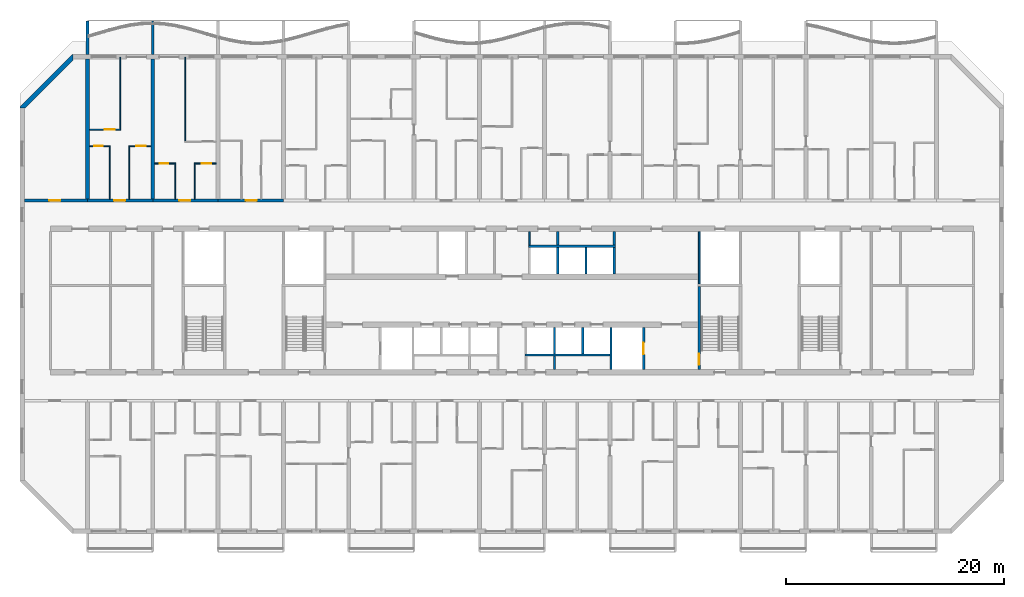
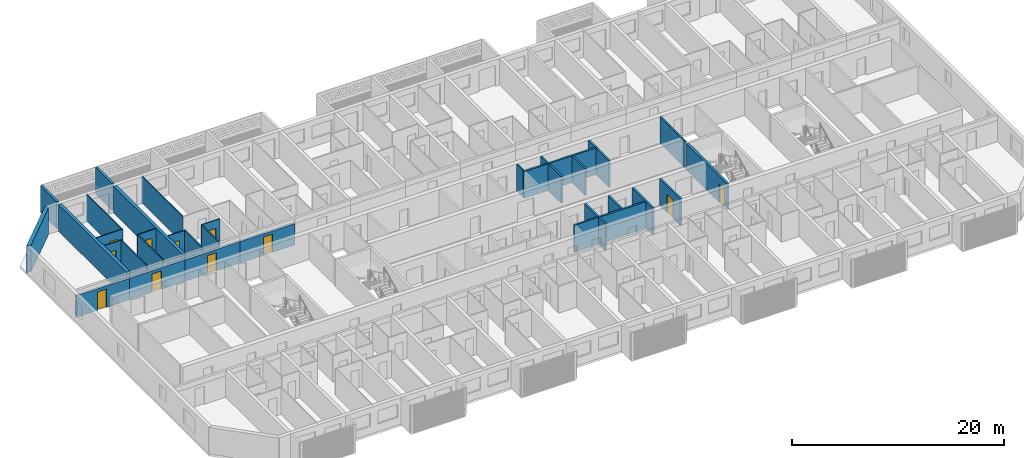
# One storey, part 10 of 28: 35 walls, 11 doors, 11 openings.
"""IFC4 building model written with IfcOpenShell, lengths in metres."""

import ifcopenshell
import ifcopenshell.guid

model = None  # the IFC model being written
_history = None  # IfcOwnerHistory: only IFC2X3 demands one
_inside = {}  # id of a spatial element -> (the spatial element, [elements in it])
_under = {}  # id of a project, library or spatial element -> (it, [spatial elements below it])
_declared = {}  # id of a project -> (the project, [libraries it declares])
_typed = {}  # id of a type object -> (the type object, [elements of that type])
_made_of = {}  # id of a material, layer set ... -> (it, [elements and type objects made of it])


def new_model(schema):
    """Start an empty IFC model of exactly this schema.

    Asked for "IFC4X3", IfcOpenShell would pick the latest addendum, in which some entities
    have other attributes; the version numbers below select the first issue.
    IFC2X3 requires an IfcOwnerHistory on every rooted entity: one is made here for all.
    """
    global model, _history
    if schema == "IFC4X3":
        model = ifcopenshell.file(schema_version=(4, 3, 0, 0))
    else:
        model = ifcopenshell.file(schema=schema)
    _inside.clear()
    _under.clear()
    _declared.clear()
    _typed.clear()
    _made_of.clear()
    _history = None
    if model.schema == "IFC2X3":
        org = make("IfcOrganization", Name="unknown")
        user = make(
            "IfcPersonAndOrganization",
            ThePerson=make("IfcPerson", FamilyName="unknown"),
            TheOrganization=org,
        )
        app = make(
            "IfcApplication",
            ApplicationDeveloper=org,
            Version="unknown",
            ApplicationFullName="unknown",
            ApplicationIdentifier="unknown",
        )
        _history = make(
            "IfcOwnerHistory",
            OwningUser=user,
            OwningApplication=app,
            ChangeAction="ADDED",
            CreationDate=0,
        )
    return model


def make(cls, **values):
    """One entity of the class cls with the attributes given. An attribute that is None is left unset."""
    return model.create_entity(
        cls, **{name: value for name, value in values.items() if value is not None}
    )


def rooted(cls, **values):
    """An entity with a GlobalId (a new one), such as an element, a storey or a relation."""
    return make(cls, GlobalId=ifcopenshell.guid.new(), OwnerHistory=_history, **values)


def si_unit(unit_type, name, prefix=None):
    """IfcSIUnit, for example si_unit("LENGTHUNIT", "METRE", prefix="MILLI")."""
    return make("IfcSIUnit", UnitType=unit_type, Prefix=prefix, Name=name)


def assignment(units):
    """IfcUnitAssignment: the units of a project."""
    return None if units is None else make("IfcUnitAssignment", Units=units)


def point(xyz):
    """IfcCartesianPoint."""
    return None if xyz is None else make("IfcCartesianPoint", Coordinates=xyz)


def direction(xyz):
    """IfcDirection."""
    return None if xyz is None else make("IfcDirection", DirectionRatios=xyz)


def frame(location, z_axis=None, x_axis=None):
    """IfcAxis2Placement3D, a coordinate frame: its origin and axes. An axis left out is left unset."""
    return make(
        "IfcAxis2Placement3D",
        Location=point(location),
        Axis=direction(z_axis),
        RefDirection=direction(x_axis),
    )


def frame_2d(location, x_axis=None):
    """IfcAxis2Placement2D, a coordinate frame in the plane: its origin and x axis."""
    return make(
        "IfcAxis2Placement2D", Location=point(location), RefDirection=direction(x_axis)
    )


def origin():
    """The frame at (0, 0, 0) with its axes left unset."""
    return frame((0.0, 0.0, 0.0))


def place(relative_to, where):
    """IfcLocalPlacement: puts the frame where relative to a parent placement (None: the world)."""
    return make(
        "IfcLocalPlacement", PlacementRelTo=relative_to, RelativePlacement=where
    )


def context(
    kind, dimensions, precision=None, world=None, true_north=None, identifier=None
):
    """IfcGeometricRepresentationContext, for example the 3D "Model" context."""
    return make(
        "IfcGeometricRepresentationContext",
        ContextIdentifier=identifier,
        ContextType=kind,
        CoordinateSpaceDimension=dimensions,
        Precision=precision,
        WorldCoordinateSystem=world,
        TrueNorth=true_north,
    )


def subcontext(parent, identifier, kind, view, scale=None):
    """IfcGeometricRepresentationSubContext, for example "Body" below "Model"."""
    return make(
        "IfcGeometricRepresentationSubContext",
        ContextIdentifier=identifier,
        ContextType=kind,
        ParentContext=parent,
        TargetScale=scale,
        TargetView=view,
    )


def project(units=None, contexts=None):
    """IfcProject with its units and contexts."""
    return rooted(
        "IfcProject",
        Name="project",
        RepresentationContexts=contexts,
        UnitsInContext=assignment(units),
    )


def spatial(cls, under=None, at=None, **own):
    """A site, building, storey or space (cls), placed at a placement, below another one or the project."""
    s = rooted(cls, ObjectPlacement=at, **own)
    if under is not None:
        _under.setdefault(under.id(), (under, []))[1].append(s)
    return s


def polyline(points):
    """IfcPolyline through the points."""
    return make("IfcPolyline", Points=[point(p) for p in points])


def profile(cls, at=None, kind="AREA", **sizes):
    """A parametric profile (cls). Its sizes go by their IFC names, for example OverallWidth=200.0."""
    return make(cls, ProfileType=kind, Position=at, **sizes)


def rectangle(**sizes):
    """IfcRectangleProfileDef."""
    return profile("IfcRectangleProfileDef", **sizes)


def outline(outer, holes=None, kind="AREA"):
    """IfcArbitraryClosedProfileDef: a profile drawn as a closed curve; with holes, ...WithVoids."""
    if holes is None:
        return make("IfcArbitraryClosedProfileDef", ProfileType=kind, OuterCurve=outer)
    return make(
        "IfcArbitraryProfileDefWithVoids",
        ProfileType=kind,
        OuterCurve=outer,
        InnerCurves=holes,
    )


def extrude(swept, where, along, depth):
    """IfcExtrudedAreaSolid: the profile swept, set in the frame where, extruded along a direction by depth."""
    return make(
        "IfcExtrudedAreaSolid",
        SweptArea=swept,
        Position=where,
        ExtrudedDirection=direction(along),
        Depth=depth,
    )


def shape(context_of_items, identifier, shape_type, items):
    """IfcShapeRepresentation: the items that make up one representation, for example the "Body"."""
    return make(
        "IfcShapeRepresentation",
        ContextOfItems=context_of_items,
        RepresentationIdentifier=identifier,
        RepresentationType=shape_type,
        Items=items,
    )


def source(mapping_origin, context_of_items, identifier, shape_type, items):
    """IfcRepresentationMap: a shape defined once, which mapped items show again and again."""
    return make(
        "IfcRepresentationMap",
        MappingOrigin=mapping_origin,
        MappedRepresentation=shape(context_of_items, identifier, shape_type, items),
    )


def transform(
    local_origin,
    x_axis=None,
    y_axis=None,
    z_axis=None,
    scale=None,
    scale2=None,
    scale3=None,
    uniform=True,
):
    """IfcCartesianTransformationOperator3D, or its non-uniform kind. x_axis, y_axis, z_axis: its Axis1, 2, 3."""
    if uniform:
        return make(
            "IfcCartesianTransformationOperator3D",
            Axis1=direction(x_axis),
            Axis2=direction(y_axis),
            LocalOrigin=point(local_origin),
            Scale=scale,
            Axis3=direction(z_axis),
        )
    return make(
        "IfcCartesianTransformationOperator3DnonUniform",
        Axis1=direction(x_axis),
        Axis2=direction(y_axis),
        LocalOrigin=point(local_origin),
        Scale=scale,
        Axis3=direction(z_axis),
        Scale2=scale2,
        Scale3=scale3,
    )


def mapped(mapping_source, mapping_target):
    """IfcMappedItem: shows the shape of a source again, moved by a transform."""
    return make(
        "IfcMappedItem", MappingSource=mapping_source, MappingTarget=mapping_target
    )


def material(Name=None, Category=None):
    """IfcMaterial."""
    return make("IfcMaterial", Name=Name, Category=Category)


def layer(
    of_material, thickness, ventilated=None, Name=None, Category=None, Priority=None
):
    """IfcMaterialLayer: one layer of a wall or slab, of a material (None: an air gap)."""
    return make(
        "IfcMaterialLayer",
        Material=of_material,
        LayerThickness=thickness,
        IsVentilated=ventilated,
        Name=Name,
        Category=Category,
        Priority=Priority,
    )


def layer_set(layers, Name=None):
    """IfcMaterialLayerSet."""
    return make("IfcMaterialLayerSet", MaterialLayers=layers, LayerSetName=Name)


def made_of(thing, what):
    """Note that an element or type object is made of a material, layer set ...; save() writes the relation."""
    if what is not None:
        _made_of.setdefault(what.id(), (what, []))[1].append(thing)
    return thing


def type_object(cls, material=None, **own):
    """A type object (cls), such as IfcWallType, which elements share."""
    return made_of(rooted(cls, **own), material)


def element(
    cls,
    number,
    at=None,
    inside=None,
    cuts=None,
    type_object=None,
    material=None,
    context=None,
    identifier="Body",
    shape_type=None,
    held_by="IfcProductDefinitionShape",
    body=None,
    shapes=None,
    **own,
):
    """One element of the class cls, such as IfcWall. Its Tag is "e" and its number.

    at: its placement. inside: the storey or other place that contains it. cuts: it is an
    opening in that element (IfcRelVoidsElement). A single representation is given by context,
    identifier, shape_type and body (its items); several are given by shapes. held_by: the class
    of the entity that holds the representations. save() writes the other relations.
    """
    e = rooted(cls, Tag="e%d" % number, ObjectPlacement=at, **own)
    if body is not None:
        shapes = [shape(context, identifier, shape_type, body)]
    if shapes is not None:
        e.Representation = make(held_by, Representations=shapes)
    if inside is not None:
        _inside.setdefault(inside.id(), (inside, []))[1].append(e)
    if cuts is not None:
        rooted(
            "IfcRelVoidsElement", RelatingBuildingElement=cuts, RelatedOpeningElement=e
        )
    if type_object is not None:
        _typed.setdefault(type_object.id(), (type_object, []))[1].append(e)
    return made_of(e, material)


def fill(opening, filler):
    """IfcRelFillsElement: the door or window that sits in an opening."""
    return rooted(
        "IfcRelFillsElement",
        RelatingOpeningElement=opening,
        RelatedBuildingElement=filler,
    )


def aggregate(whole, parts):
    """IfcRelAggregates: a whole, such as a stair, and the parts it consists of."""
    return rooted("IfcRelAggregates", RelatingObject=whole, RelatedObjects=parts)


def save(model, path):
    """Write the relations noted so far, then the file.

    IfcRelAggregates (storeys below a building ...), IfcRelContainedInSpatialStructure (elements
    in a storey), IfcRelDefinesByType, IfcRelAssociatesMaterial and IfcRelDeclares: one each for
    every whole, place, type object, material and project.
    """
    for whole, parts in _under.values():
        aggregate(whole, parts)
    for where, things in _inside.values():
        rooted(
            "IfcRelContainedInSpatialStructure",
            RelatedElements=things,
            RelatingStructure=where,
        )
    for kind, things in _typed.values():
        rooted("IfcRelDefinesByType", RelatedObjects=things, RelatingType=kind)
    for what, things in _made_of.values():
        rooted("IfcRelAssociatesMaterial", RelatedObjects=things, RelatingMaterial=what)
    for by, libraries in _declared.values():
        rooted("IfcRelDeclares", RelatingContext=by, RelatedDefinitions=libraries)
    model.write(path)


model = new_model("IFC4")

# Units and contexts
model_context = context("Model", 3, precision=1e-05, world=origin(), true_north=direction((0.0, 1.0)))
body_context = subcontext(model_context, "Body", "Model", "MODEL_VIEW")
ifc_project = project(units=[si_unit("LENGTHUNIT", "METRE"), si_unit("AREAUNIT", "SQUARE_METRE"), si_unit("VOLUMEUNIT", "CUBIC_METRE"), si_unit("PLANEANGLEUNIT", "RADIAN"), si_unit("MASSUNIT", "GRAM", prefix="KILO")], contexts=[model_context])

# Site, building, storey
site_placement = place(None, origin())
site = spatial("IfcSite", under=ifc_project, at=site_placement, CompositionType="ELEMENT")
building_placement = place(site_placement, origin())
building = spatial("IfcBuilding", under=site, at=building_placement, Name="Poui Terraces", CompositionType="ELEMENT")
storey_placement = place(building_placement, frame((0.0, 0.0, 72.89990234375)))
storey = spatial("IfcBuildingStorey", under=building, at=storey_placement, Name="L19", CompositionType="ELEMENT", Elevation=72.89990234375)

# Wall
ifc_material_1 = material(Name="Fire-rated plasterboard wall")
ifc_layer_1 = layer(ifc_material_1, 0.14990234375)
ifc_layer_set_1 = layer_set([ifc_layer_1], Name="Fire-rated plasterboard wall")
wall_type_1 = type_object("IfcWallType", Name="CORRIDOR WALL 150", PredefinedType="PARTITIONING", material=ifc_layer_set_1)
wall_1_placement = place(storey_placement, frame((52.60009765625, 26.300048828125, 0.0), z_axis=(0.0, 0.0, 1.0), x_axis=(0.0, 1.0, 0.0)))
element("IfcWall", 1, at=wall_1_placement, inside=storey, type_object=wall_type_1, Name="CORRIDOR WALL 150", PredefinedType="PARTITIONING", context=body_context, shape_type="SweptSolid", body=[
    extrude(rectangle(XDim=1.239990234375, YDim=0.14990234375, at=frame_2d((0.6201171875, 0.0))), origin(), (0.0, 0.0, 1.0), 3.06005859375),
])

# Wall, opening, door
ifc_material_2 = material(Name="Concrete 65 MPa", Category="concrete")
ifc_layer_2 = layer(ifc_material_2, 0.25)
ifc_layer_set_2 = layer_set([ifc_layer_2], Name="Concrete 65 MPa")
wall_type_2 = type_object("IfcWallType", Name="CORRIDOR WALL 250 65MPa", PredefinedType="SHEAR", material=ifc_layer_set_2)
wall_2_placement = place(storey_placement, frame((6.199951171875, 30.39990234375, 0.0), z_axis=(0.0, 0.0, 1.0), x_axis=(1.0, 0.0, 0.0)))
wall_2 = element("IfcWall", 2, at=wall_2_placement, inside=storey, type_object=wall_type_2, Name="CORRIDOR WALL LINE E BAY 1", PredefinedType="SHEAR", context=body_context, shape_type="SweptSolid", body=[
    extrude(rectangle(XDim=5.800048828125, YDim=0.25, at=frame_2d((2.89990234375, 0.0))), origin(), (0.0, 0.0, 1.0), 2.460205078125),
])
opening_1_placement = place(wall_2_placement, frame((2.300048828125, 0.0, 0.0)))
opening_1 = element("IfcOpeningElement", 3, at=opening_1_placement, cuts=wall_2, Name="Opening D100", PredefinedType="OPENING", context=body_context, shape_type="SweptSolid", body=[
    extrude(rectangle(XDim=1.0, YDim=2.10009765625, at=frame_2d((0.5, 1.050048828125))), frame((0.0, 0.135009765625, 0.0), z_axis=(0.0, -1.0, 0.0), x_axis=(1.0, 0.0, 0.0)), (0.0, 0.0, 1.0), 0.27001953125),
])
ifc_material_3 = material(Name="Solid core timber door", Category="wood")
door_type_1 = type_object("IfcDoorType", Name="ACCESSIBLE INTERNAL DOOR 1000 X 2100", OperationType="NOTDEFINED", PredefinedType="DOOR", material=ifc_material_3)
door_1_placement = place(opening_1_placement, origin())
door_1 = element("IfcDoor", 4, at=door_1_placement, inside=storey, type_object=door_type_1, Name="ACCESSIBLE INTERNAL DOOR 033", OperationType="SINGLE_SWING_LEFT", OverallHeight=2.10009765625, OverallWidth=1.0, PredefinedType="DOOR", context=body_context, shape_type="SweptSolid", body=[
    extrude(rectangle(XDim=1.0, YDim=2.10009765625, at=frame_2d((0.5, 1.050048828125))), frame((0.0, 0.02490234375, 0.0), z_axis=(0.0, -1.0, 0.0), x_axis=(1.0, 0.0, 0.0)), (0.0, 0.0, 1.0), 0.050048828125),
])
fill(opening_1, door_1)

wall_3_placement = place(storey_placement, frame((12.0, 30.39990234375, 0.0), z_axis=(0.0, 0.0, 1.0), x_axis=(1.0, 0.0, 0.0)))
wall_3 = element("IfcWall", 5, at=wall_3_placement, inside=storey, type_object=wall_type_2, Name="CORRIDOR WALL LINE E BAY 2", PredefinedType="SHEAR", context=body_context, shape_type="SweptSolid", body=[
    extrude(rectangle(XDim=6.0, YDim=0.25, at=frame_2d((3.0, 0.0))), origin(), (0.0, 0.0, 1.0), 2.460205078125),
])
opening_2_placement = place(wall_3_placement, frame((2.449951171875, 0.0, 0.0)))
opening_2 = element("IfcOpeningElement", 6, at=opening_2_placement, cuts=wall_3, Name="Opening FD30S", PredefinedType="OPENING", context=body_context, shape_type="SweptSolid", body=[
    extrude(rectangle(XDim=1.0, YDim=2.10009765625, at=frame_2d((0.5, 1.050048828125))), frame((0.0, 0.135009765625, 0.0), z_axis=(0.0, -1.0, 0.0), x_axis=(1.0, 0.0, 0.0)), (0.0, 0.0, 1.0), 0.27001953125),
])
ifc_material_4 = material(Name="Steel fire door", Category="steel")
door_type_2 = type_object("IfcDoorType", Name="FLAT ENTRANCE DOOR 1000 X 2100", OperationType="NOTDEFINED", PredefinedType="DOOR", material=ifc_material_4)
door_2_placement = place(opening_2_placement, origin())
door_2 = element("IfcDoor", 7, at=door_2_placement, inside=storey, type_object=door_type_2, Name="FLAT ENTRANCE DOOR 036", OperationType="SINGLE_SWING_LEFT", OverallHeight=2.10009765625, OverallWidth=1.0, PredefinedType="DOOR", context=body_context, shape_type="SweptSolid", body=[
    extrude(rectangle(XDim=1.0, YDim=2.10009765625, at=frame_2d((0.5, 1.050048828125))), frame((0.0, 0.02490234375, 0.0), z_axis=(0.0, -1.0, 0.0), x_axis=(1.0, 0.0, 0.0)), (0.0, 0.0, 1.0), 0.050048828125),
])
fill(opening_2, door_2)

wall_4_placement = place(storey_placement, frame((18.0, 30.39990234375, 0.0), z_axis=(0.0, 0.0, 1.0), x_axis=(1.0, 0.0, 0.0)))
wall_4 = element("IfcWall", 8, at=wall_4_placement, inside=storey, type_object=wall_type_2, Name="CORRIDOR WALL LINE E BAY 3", PredefinedType="SHEAR", context=body_context, shape_type="SweptSolid", body=[
    extrude(rectangle(XDim=6.0, YDim=0.25, at=frame_2d((3.0, 0.0))), origin(), (0.0, 0.0, 1.0), 2.460205078125),
])
opening_3_placement = place(wall_4_placement, frame((2.449951171875, 0.0, 0.0)))
opening_3 = element("IfcOpeningElement", 9, at=opening_3_placement, cuts=wall_4, Name="Opening FD30S", PredefinedType="OPENING", context=body_context, shape_type="SweptSolid", body=[
    extrude(rectangle(XDim=1.0, YDim=2.10009765625, at=frame_2d((0.5, 1.050048828125))), frame((0.0, 0.135009765625, 0.0), z_axis=(0.0, -1.0, 0.0), x_axis=(1.0, 0.0, 0.0)), (0.0, 0.0, 1.0), 0.27001953125),
])
door_3_placement = place(opening_3_placement, origin())
door_3 = element("IfcDoor", 10, at=door_3_placement, inside=storey, type_object=door_type_2, Name="FLAT ENTRANCE DOOR 039", OperationType="SINGLE_SWING_LEFT", OverallHeight=2.10009765625, OverallWidth=1.0, PredefinedType="DOOR", context=body_context, shape_type="SweptSolid", body=[
    extrude(rectangle(XDim=1.0, YDim=2.10009765625, at=frame_2d((0.5, 1.050048828125))), frame((0.0, 0.02490234375, 0.0), z_axis=(0.0, -1.0, 0.0), x_axis=(1.0, 0.0, 0.0)), (0.0, 0.0, 1.0), 0.050048828125),
])
fill(opening_3, door_3)

wall_5_placement = place(storey_placement, frame((24.0, 30.39990234375, 0.0), z_axis=(0.0, 0.0, 1.0), x_axis=(1.0, 0.0, 0.0)))
wall_5 = element("IfcWall", 11, at=wall_5_placement, inside=storey, type_object=wall_type_2, Name="CORRIDOR WALL LINE E BAY 4", PredefinedType="SHEAR", context=body_context, shape_type="SweptSolid", body=[
    extrude(rectangle(XDim=6.0, YDim=0.25, at=frame_2d((3.0, 0.0))), origin(), (0.0, 0.0, 1.0), 2.460205078125),
])
opening_4_placement = place(wall_5_placement, frame((2.550048828125, 0.0, 0.0)))
opening_4 = element("IfcOpeningElement", 12, at=opening_4_placement, cuts=wall_5, Name="Opening FD30S", PredefinedType="OPENING", context=body_context, shape_type="SweptSolid", body=[
    extrude(rectangle(XDim=1.0, YDim=2.10009765625, at=frame_2d((0.5, 1.050048828125))), frame((0.0, 0.135009765625, 0.0), z_axis=(0.0, -1.0, 0.0), x_axis=(1.0, 0.0, 0.0)), (0.0, 0.0, 1.0), 0.27001953125),
])
door_4_placement = place(opening_4_placement, origin())
door_4 = element("IfcDoor", 13, at=door_4_placement, inside=storey, type_object=door_type_2, Name="FLAT ENTRANCE DOOR 043", OperationType="SINGLE_SWING_RIGHT", OverallHeight=2.10009765625, OverallWidth=1.0, PredefinedType="DOOR", context=body_context, shape_type="SweptSolid", body=[
    extrude(rectangle(XDim=1.0, YDim=2.10009765625, at=frame_2d((0.5, 1.050048828125))), frame((0.0, 0.02490234375, 0.0), z_axis=(0.0, -1.0, 0.0), x_axis=(1.0, 0.0, 0.0)), (0.0, 0.0, 1.0), 0.050048828125),
])
fill(opening_4, door_4)

# Walls
ifc_layer_3 = layer(ifc_material_2, 0.35009765625)
ifc_layer_set_3 = layer_set([ifc_layer_3], Name="Concrete 65 MPa")
wall_type_3 = type_object("IfcWallType", Name="CROSS WALL 350 65MPa", PredefinedType="SHEAR", material=ifc_layer_set_3)
for number, where, z_axis, x_axis, name in (
    (14, (12.0, 30.52490234375, 0.0), (0.0, 0.0, 1.0), (0.0, 1.0, 0.0), "CROSS WALL LINE 3 NORTH"),
    (15, (18.0, 30.52490234375, 0.0), (0.0, 0.0, 1.0), (0.0, 1.0, 0.0), "CROSS WALL LINE 4 NORTH"),
):
    element("IfcWall", number, at=place(storey_placement, frame(where, z_axis=z_axis, x_axis=x_axis)), inside=storey, type_object=wall_type_3, Name=name, PredefinedType="SHEAR", context=body_context, shape_type="SweptSolid", body=[
        extrude(rectangle(XDim=12.875, YDim=0.35009765625, at=frame_2d((6.4375, 0.0))), origin(), (0.0, 0.0, 1.0), 3.06005859375),
    ])

# Wall, opening, door
ifc_material_5 = material(Name="Plasterboard partition")
ifc_layer_4 = layer(ifc_material_5, 0.10009765625)
ifc_layer_set_4 = layer_set([ifc_layer_4], Name="Plasterboard partition")
wall_type_4 = type_object("IfcWallType", Name="FLAT PARTITION 100", PredefinedType="PARTITIONING", material=ifc_layer_set_4)
wall_6_placement = place(storey_placement, frame((18.18505859375, 33.800048828125, 0.0), z_axis=(0.0, 0.0, 1.0), x_axis=(1.0, 0.0, 0.0)))
wall_6 = element("IfcWall", 16, at=wall_6_placement, inside=storey, type_object=wall_type_4, Name="FLAT PARTITION 100", PredefinedType="PARTITIONING", context=body_context, shape_type="SweptSolid", body=[
    extrude(rectangle(XDim=1.9150390625, YDim=0.10009765625, at=frame_2d((0.95751953125, 0.0))), origin(), (0.0, 0.0, 1.0), 3.06005859375),
])
opening_5_placement = place(wall_6_placement, frame((0.43994140625, 0.0, 0.0)))
opening_5 = element("IfcOpeningElement", 17, at=opening_5_placement, cuts=wall_6, Name="Opening D80", PredefinedType="OPENING", context=body_context, shape_type="SweptSolid", body=[
    extrude(rectangle(XDim=0.800048828125, YDim=2.10009765625, at=frame_2d((0.39990234375, 1.050048828125))), frame((0.0, 0.06005859375, 0.0), z_axis=(0.0, -1.0, 0.0), x_axis=(1.0, 0.0, 0.0)), (0.0, 0.0, 1.0), 0.1201171875),
])
door_type_3 = type_object("IfcDoorType", Name="BATHROOM, LAUNDRY AND STORE DOOR 800 X 2100", OperationType="NOTDEFINED", PredefinedType="DOOR", material=ifc_material_3)
door_5_placement = place(opening_5_placement, frame((0.800048828125, 0.0, 0.0), z_axis=(0.0, 0.0, 1.0), x_axis=(-1.0, 0.0, 0.0)))
door_5 = element("IfcDoor", 18, at=door_5_placement, inside=storey, type_object=door_type_3, Name="BATHROOM, LAUNDRY AND STORE DOOR 038", OperationType="SINGLE_SWING_RIGHT", OverallHeight=2.10009765625, OverallWidth=0.800048828125, PredefinedType="DOOR", context=body_context, shape_type="SweptSolid", body=[
    extrude(rectangle(XDim=0.800048828125, YDim=2.10009765625, at=frame_2d((0.39990234375, 1.050048828125))), frame((0.0, 0.02490234375, 0.0), z_axis=(0.0, -1.0, 0.0), x_axis=(1.0, 0.0, 0.0)), (0.0, 0.0, 1.0), 0.050048828125),
])
fill(opening_5, door_5)

wall_7_placement = place(storey_placement, frame((21.800048828125, 33.800048828125, 0.0), z_axis=(0.0, 0.0, 1.0), x_axis=(1.0, 0.0, 0.0)))
wall_7 = element("IfcWall", 19, at=wall_7_placement, inside=storey, type_object=wall_type_4, Name="FLAT PARTITION 100", PredefinedType="PARTITIONING", context=body_context, shape_type="SweptSolid", body=[
    extrude(rectangle(XDim=2.014892578125, YDim=0.10009765625, at=frame_2d((1.00732421875, 0.0))), origin(), (0.0, 0.0, 1.0), 3.06005859375),
])
opening_6_placement = place(wall_7_placement, frame((0.675048828125, 0.0, 0.0)))
opening_6 = element("IfcOpeningElement", 20, at=opening_6_placement, cuts=wall_7, Name="Opening D90", PredefinedType="OPENING", context=body_context, shape_type="SweptSolid", body=[
    extrude(rectangle(XDim=0.89990234375, YDim=2.10009765625, at=frame_2d((0.449951171875, 1.050048828125))), frame((0.0, 0.06005859375, 0.0), z_axis=(0.0, -1.0, 0.0), x_axis=(1.0, 0.0, 0.0)), (0.0, 0.0, 1.0), 0.1201171875),
])
door_type_4 = type_object("IfcDoorType", Name="INTERNAL DOOR 900 X 2100", OperationType="NOTDEFINED", PredefinedType="DOOR", material=ifc_material_3)
door_6_placement = place(opening_6_placement, frame((0.89990234375, 0.0, 0.0), z_axis=(0.0, 0.0, 1.0), x_axis=(-1.0, 0.0, 0.0)))
door_6 = element("IfcDoor", 21, at=door_6_placement, inside=storey, type_object=door_type_4, Name="INTERNAL DOOR 040", OperationType="SINGLE_SWING_LEFT", OverallHeight=2.10009765625, OverallWidth=0.89990234375, PredefinedType="DOOR", context=body_context, shape_type="SweptSolid", body=[
    extrude(rectangle(XDim=0.89990234375, YDim=2.10009765625, at=frame_2d((0.449951171875, 1.050048828125))), frame((0.0, 0.02490234375, 0.0), z_axis=(0.0, -1.0, 0.0), x_axis=(1.0, 0.0, 0.0)), (0.0, 0.0, 1.0), 0.050048828125),
])
fill(opening_6, door_6)

wall_8_placement = place(storey_placement, frame((12.18505859375, 35.39990234375, 0.0), z_axis=(0.0, 0.0, 1.0), x_axis=(1.0, 0.0, 0.0)))
wall_8 = element("IfcWall", 22, at=wall_8_placement, inside=storey, type_object=wall_type_4, Name="FLAT PARTITION 100", PredefinedType="PARTITIONING", context=body_context, shape_type="SweptSolid", body=[
    extrude(rectangle(XDim=1.9150390625, YDim=0.10009765625, at=frame_2d((0.95751953125, 0.0))), origin(), (0.0, 0.0, 1.0), 3.06005859375),
])
opening_7_placement = place(wall_8_placement, frame((0.43994140625, 0.0, 0.0)))
opening_7 = element("IfcOpeningElement", 23, at=opening_7_placement, cuts=wall_8, Name="Opening D80", PredefinedType="OPENING", context=body_context, shape_type="SweptSolid", body=[
    extrude(rectangle(XDim=0.800048828125, YDim=2.10009765625, at=frame_2d((0.39990234375, 1.050048828125))), frame((0.0, 0.06005859375, 0.0), z_axis=(0.0, -1.0, 0.0), x_axis=(1.0, 0.0, 0.0)), (0.0, 0.0, 1.0), 0.1201171875),
])
door_7_placement = place(opening_7_placement, frame((0.800048828125, 0.0, 0.0), z_axis=(0.0, 0.0, 1.0), x_axis=(-1.0, 0.0, 0.0)))
door_7 = element("IfcDoor", 24, at=door_7_placement, inside=storey, type_object=door_type_3, Name="BATHROOM, LAUNDRY AND STORE DOOR 034", OperationType="SINGLE_SWING_LEFT", OverallHeight=2.10009765625, OverallWidth=0.800048828125, PredefinedType="DOOR", context=body_context, shape_type="SweptSolid", body=[
    extrude(rectangle(XDim=0.800048828125, YDim=2.10009765625, at=frame_2d((0.39990234375, 1.050048828125))), frame((0.0, 0.02490234375, 0.0), z_axis=(0.0, -1.0, 0.0), x_axis=(1.0, 0.0, 0.0)), (0.0, 0.0, 1.0), 0.050048828125),
])
fill(opening_7, door_7)

wall_9_placement = place(storey_placement, frame((15.800048828125, 35.39990234375, 0.0), z_axis=(0.0, 0.0, 1.0), x_axis=(1.0, 0.0, 0.0)))
wall_9 = element("IfcWall", 25, at=wall_9_placement, inside=storey, type_object=wall_type_4, Name="FLAT PARTITION 100", PredefinedType="PARTITIONING", context=body_context, shape_type="SweptSolid", body=[
    extrude(rectangle(XDim=2.014892578125, YDim=0.10009765625, at=frame_2d((1.00732421875, 0.0))), origin(), (0.0, 0.0, 1.0), 3.06005859375),
])
opening_8_placement = place(wall_9_placement, frame((0.675048828125, 0.0, 0.0)))
opening_8 = element("IfcOpeningElement", 26, at=opening_8_placement, cuts=wall_9, Name="Opening D90", PredefinedType="OPENING", context=body_context, shape_type="SweptSolid", body=[
    extrude(rectangle(XDim=0.89990234375, YDim=2.10009765625, at=frame_2d((0.449951171875, 1.050048828125))), frame((0.0, 0.06005859375, 0.0), z_axis=(0.0, -1.0, 0.0), x_axis=(1.0, 0.0, 0.0)), (0.0, 0.0, 1.0), 0.1201171875),
])
door_8_placement = place(opening_8_placement, frame((0.89990234375, 0.0, 0.0), z_axis=(0.0, 0.0, 1.0), x_axis=(-1.0, 0.0, 0.0)))
door_8 = element("IfcDoor", 27, at=door_8_placement, inside=storey, type_object=door_type_4, Name="INTERNAL DOOR 037", OperationType="SINGLE_SWING_RIGHT", OverallHeight=2.10009765625, OverallWidth=0.89990234375, PredefinedType="DOOR", context=body_context, shape_type="SweptSolid", body=[
    extrude(rectangle(XDim=0.89990234375, YDim=2.10009765625, at=frame_2d((0.449951171875, 1.050048828125))), frame((0.0, 0.02490234375, 0.0), z_axis=(0.0, -1.0, 0.0), x_axis=(1.0, 0.0, 0.0)), (0.0, 0.0, 1.0), 0.050048828125),
])
fill(opening_8, door_8)

wall_10_placement = place(storey_placement, frame((12.18505859375, 36.89990234375, 0.0), z_axis=(0.0, 0.0, 1.0), x_axis=(1.0, 0.0, 0.0)))
wall_10 = element("IfcWall", 28, at=wall_10_placement, inside=storey, type_object=wall_type_4, Name="FLAT PARTITION 100", PredefinedType="PARTITIONING", context=body_context, shape_type="SweptSolid", body=[
    extrude(rectangle(XDim=2.864990234375, YDim=0.10009765625, at=frame_2d((1.4326171875, 0.0))), origin(), (0.0, 0.0, 1.0), 3.06005859375),
])
opening_9_placement = place(wall_10_placement, frame((1.4150390625, 0.0, 0.0)))
opening_9 = element("IfcOpeningElement", 29, at=opening_9_placement, cuts=wall_10, Name="Opening D90", PredefinedType="OPENING", context=body_context, shape_type="SweptSolid", body=[
    extrude(rectangle(XDim=0.89990234375, YDim=2.10009765625, at=frame_2d((0.449951171875, 1.050048828125))), frame((0.0, 0.06005859375, 0.0), z_axis=(0.0, -1.0, 0.0), x_axis=(1.0, 0.0, 0.0)), (0.0, 0.0, 1.0), 0.1201171875),
])
door_9_placement = place(opening_9_placement, frame((0.89990234375, 0.0, 0.0), z_axis=(0.0, 0.0, 1.0), x_axis=(-1.0, 0.0, 0.0)))
door_9 = element("IfcDoor", 30, at=door_9_placement, inside=storey, type_object=door_type_4, Name="INTERNAL DOOR 035", OperationType="SINGLE_SWING_RIGHT", OverallHeight=2.10009765625, OverallWidth=0.89990234375, PredefinedType="DOOR", context=body_context, shape_type="SweptSolid", body=[
    extrude(rectangle(XDim=0.89990234375, YDim=2.10009765625, at=frame_2d((0.449951171875, 1.050048828125))), frame((0.0, 0.02490234375, 0.0), z_axis=(0.0, -1.0, 0.0), x_axis=(1.0, 0.0, 0.0)), (0.0, 0.0, 1.0), 0.050048828125),
])
fill(opening_9, door_9)

# Walls
wall_11_placement = place(storey_placement, frame((14.050048828125, 30.534912109375, 0.0), z_axis=(0.0, 0.0, 1.0), x_axis=(0.0, 1.0, 0.0)))
element("IfcWall", 31, at=wall_11_placement, inside=storey, type_object=wall_type_4, Name="FLAT PARTITION 100", PredefinedType="PARTITIONING", context=body_context, shape_type="SweptSolid", body=[
    extrude(rectangle(XDim=4.815185546875, YDim=0.10009765625, at=frame_2d((2.40771484375, 0.0))), origin(), (0.0, 0.0, 1.0), 3.06005859375),
])
wall_12_placement = place(storey_placement, frame((15.0, 36.949951171875, 0.0), z_axis=(0.0, 0.0, 1.0), x_axis=(0.0, 1.0, 0.0)))
element("IfcWall", 32, at=wall_12_placement, inside=storey, type_object=wall_type_4, Name="FLAT PARTITION 100", PredefinedType="PARTITIONING", context=body_context, shape_type="SweptSolid", body=[
    extrude(rectangle(XDim=6.590087890625, YDim=0.10009765625, at=frame_2d((3.294921875, 0.0))), origin(), (0.0, 0.0, 1.0), 3.06005859375),
])
wall_13_placement = place(storey_placement, frame((15.85009765625, 30.534912109375, 0.0), z_axis=(0.0, 0.0, 1.0), x_axis=(0.0, 1.0, 0.0)))
element("IfcWall", 33, at=wall_13_placement, inside=storey, type_object=wall_type_4, Name="FLAT PARTITION 100", PredefinedType="PARTITIONING", context=body_context, shape_type="SweptSolid", body=[
    extrude(rectangle(XDim=4.815185546875, YDim=0.10009765625, at=frame_2d((2.40771484375, 0.0))), origin(), (0.0, 0.0, 1.0), 3.06005859375),
])
wall_14_placement = place(storey_placement, frame((20.050048828125, 30.534912109375, 0.0), z_axis=(0.0, 0.0, 1.0), x_axis=(0.0, 1.0, 0.0)))
element("IfcWall", 34, at=wall_14_placement, inside=storey, type_object=wall_type_4, Name="FLAT PARTITION 100", PredefinedType="PARTITIONING", context=body_context, shape_type="SweptSolid", body=[
    extrude(rectangle(XDim=3.215087890625, YDim=0.10009765625, at=frame_2d((1.607421875, 0.0))), origin(), (0.0, 0.0, 1.0), 3.06005859375),
])
wall_15_placement = place(storey_placement, frame((21.0, 35.85009765625, 0.0), z_axis=(0.0, 0.0, 1.0), x_axis=(0.0, 1.0, 0.0)))
element("IfcWall", 35, at=wall_15_placement, inside=storey, type_object=wall_type_4, Name="FLAT PARTITION 100", PredefinedType="PARTITIONING", context=body_context, shape_type="SweptSolid", body=[
    extrude(rectangle(XDim=7.68994140625, YDim=0.10009765625, at=frame_2d((3.844970703125, 0.0))), origin(), (0.0, 0.0, 1.0), 3.06005859375),
])
wall_16_placement = place(storey_placement, frame((21.85009765625, 30.534912109375, 0.0), z_axis=(0.0, 0.0, 1.0), x_axis=(0.0, 1.0, 0.0)))
element("IfcWall", 36, at=wall_16_placement, inside=storey, type_object=wall_type_4, Name="FLAT PARTITION 100", PredefinedType="PARTITIONING", context=body_context, shape_type="SweptSolid", body=[
    extrude(rectangle(XDim=3.215087890625, YDim=0.10009765625, at=frame_2d((1.607421875, 0.0))), origin(), (0.0, 0.0, 1.0), 3.06005859375),
])
ifc_material_6 = material(Name="Fire-rated masonry wall", Category="masonry")
ifc_layer_5 = layer(ifc_material_6, 0.199951171875)
ifc_layer_set_5 = layer_set([ifc_layer_5], Name="Fire-rated masonry wall")
wall_type_5 = type_object("IfcWallType", Name="PLANT ROOM WALL 200", PredefinedType="PARTITIONING", material=ifc_layer_set_5)
for number, where, z_axis, x_axis, name in (
    (37, (54.89990234375, 14.860107421875, 0.0), (0.0, 0.0, 1.0), (0.0, 1.0, 0.0), "PLANT ROOM WALL 200"),
    (38, (55.199951171875, 26.300048828125, 0.0), (0.0, 0.0, 1.0), (0.0, 1.0, 0.0), "PLANT ROOM WALL 200"),
    (39, (60.39990234375, 26.300048828125, 0.0), (0.0, 0.0, 1.0), (0.0, 1.0, 0.0), "PLANT ROOM WALL 200"),
):
    element("IfcWall", number, at=place(storey_placement, frame(where, z_axis=z_axis, x_axis=x_axis)), inside=storey, type_object=wall_type_5, Name=name, PredefinedType="PARTITIONING", context=body_context, shape_type="SweptSolid", body=[
        extrude(rectangle(XDim=1.239990234375, YDim=0.199951171875, at=frame_2d((0.6201171875, 0.0))), origin(), (0.0, 0.0, 1.0), 3.06005859375),
    ])
ifc_material_7 = material(Name="Fire-rated plasterboard riser wall")
ifc_layer_6 = layer(ifc_material_7, 0.14990234375)
ifc_layer_set_6 = layer_set([ifc_layer_6], Name="Fire-rated plasterboard riser wall")
wall_type_6 = type_object("IfcWallType", Name="RISER WALL 150", PredefinedType="PARTITIONING", material=ifc_layer_set_6)
wall_17_placement = place(storey_placement, frame((68.199951171875, 22.735107421875, 0.0), z_axis=(0.0, 0.0, 1.0), x_axis=(0.0, 1.0, 0.0)))
element("IfcWall", 40, at=wall_17_placement, inside=storey, type_object=wall_type_6, Name="RISER WALL 150", PredefinedType="PARTITIONING", context=body_context, shape_type="SweptSolid", body=[
    extrude(rectangle(XDim=4.804931640625, YDim=0.14990234375, at=frame_2d((2.40234375, 0.0))), origin(), (0.0, 0.0, 1.0), 3.06005859375),
])
ifc_material_8 = material(Name="Fire-rated masonry shaft wall", Category="masonry")
ifc_layer_7 = layer(ifc_material_8, 0.199951171875)
ifc_layer_set_7 = layer_set([ifc_layer_7], Name="Fire-rated masonry shaft wall")
wall_type_7 = type_object("IfcWallType", Name="SHAFT WALL 200", PredefinedType="PARTITIONING", material=ifc_layer_set_7)
wall_18_placement = place(storey_placement, frame((52.199951171875, 16.199951171875, 0.0), z_axis=(0.0, 0.0, 1.0), x_axis=(1.0, 0.0, 0.0)))
element("IfcWall", 41, at=wall_18_placement, inside=storey, type_object=wall_type_7, Name="SHAFT WALL 200", PredefinedType="PARTITIONING", context=body_context, shape_type="SweptSolid", body=[
    extrude(rectangle(XDim=7.800048828125, YDim=0.199951171875, at=frame_2d((3.89990234375, 0.0))), origin(), (0.0, 0.0, 1.0), 3.06005859375),
])
wall_19_placement = place(storey_placement, frame((52.5, 26.199951171875, 0.0), z_axis=(0.0, 0.0, 1.0), x_axis=(1.0, 0.0, 0.0)))
element("IfcWall", 42, at=wall_19_placement, inside=storey, type_object=wall_type_7, Name="SHAFT WALL 200", PredefinedType="PARTITIONING", context=body_context, shape_type="SweptSolid", body=[
    extrude(rectangle(XDim=8.0, YDim=0.199951171875, at=frame_2d((4.0, 0.0))), origin(), (0.0, 0.0, 1.0), 3.06005859375),
])
wall_20_placement = place(storey_placement, frame((54.89990234375, 16.300048828125, 0.0), z_axis=(0.0, 0.0, 1.0), x_axis=(0.0, 1.0, 0.0)))
element("IfcWall", 43, at=wall_20_placement, inside=storey, type_object=wall_type_7, Name="SHAFT WALL 200", PredefinedType="PARTITIONING", context=body_context, shape_type="SweptSolid", body=[
    extrude(rectangle(XDim=2.43994140625, YDim=0.199951171875, at=frame_2d((1.219970703125, 0.0))), origin(), (0.0, 0.0, 1.0), 3.06005859375),
])
wall_21_placement = place(storey_placement, frame((55.199951171875, 23.659912109375, 0.0), z_axis=(0.0, 0.0, 1.0), x_axis=(0.0, 1.0, 0.0)))
element("IfcWall", 44, at=wall_21_placement, inside=storey, type_object=wall_type_7, Name="SHAFT WALL 200", PredefinedType="PARTITIONING", context=body_context, shape_type="SweptSolid", body=[
    extrude(rectangle(XDim=2.440185546875, YDim=0.199951171875, at=frame_2d((1.22021484375, 0.0))), origin(), (0.0, 0.0, 1.0), 3.06005859375),
])
wall_22_placement = place(storey_placement, frame((57.5, 16.300048828125, 0.0), z_axis=(0.0, 0.0, 1.0), x_axis=(0.0, 1.0, 0.0)))
element("IfcWall", 45, at=wall_22_placement, inside=storey, type_object=wall_type_7, Name="SHAFT WALL 200", PredefinedType="PARTITIONING", context=body_context, shape_type="SweptSolid", body=[
    extrude(rectangle(XDim=2.43994140625, YDim=0.199951171875, at=frame_2d((1.219970703125, 0.0))), origin(), (0.0, 0.0, 1.0), 3.06005859375),
])
wall_23_placement = place(storey_placement, frame((57.800048828125, 23.659912109375, 0.0), z_axis=(0.0, 0.0, 1.0), x_axis=(0.0, 1.0, 0.0)))
element("IfcWall", 46, at=wall_23_placement, inside=storey, type_object=wall_type_7, Name="SHAFT WALL 200", PredefinedType="PARTITIONING", context=body_context, shape_type="SweptSolid", body=[
    extrude(rectangle(XDim=2.440185546875, YDim=0.199951171875, at=frame_2d((1.22021484375, 0.0))), origin(), (0.0, 0.0, 1.0), 3.06005859375),
])
wall_24_placement = place(storey_placement, frame((60.10009765625, 14.860107421875, 0.0), z_axis=(0.0, 0.0, 1.0), x_axis=(0.0, 1.0, 0.0)))
element("IfcWall", 47, at=wall_24_placement, inside=storey, type_object=wall_type_7, Name="SHAFT WALL 200", PredefinedType="PARTITIONING", context=body_context, shape_type="SweptSolid", body=[
    extrude(rectangle(XDim=3.8798828125, YDim=0.199951171875, at=frame_2d((1.93994140625, 0.0))), origin(), (0.0, 0.0, 1.0), 3.06005859375),
])
wall_25_placement = place(storey_placement, frame((60.39990234375, 23.659912109375, 0.0), z_axis=(0.0, 0.0, 1.0), x_axis=(0.0, 1.0, 0.0)))
element("IfcWall", 48, at=wall_25_placement, inside=storey, type_object=wall_type_7, Name="SHAFT WALL 200", PredefinedType="PARTITIONING", context=body_context, shape_type="SweptSolid", body=[
    extrude(rectangle(XDim=2.440185546875, YDim=0.199951171875, at=frame_2d((1.22021484375, 0.0))), origin(), (0.0, 0.0, 1.0), 3.06005859375),
])

# Wall, opening, door
wall_26_placement = place(storey_placement, frame((63.10009765625, 14.860107421875, 0.0), z_axis=(0.0, 0.0, 1.0), x_axis=(0.0, 1.0, 0.0)))
wall_26 = element("IfcWall", 49, at=wall_26_placement, inside=storey, type_object=wall_type_7, Name="SHAFT WALL 200", PredefinedType="PARTITIONING", context=body_context, shape_type="SweptSolid", body=[
    extrude(rectangle(XDim=3.8798828125, YDim=0.199951171875, at=frame_2d((1.93994140625, 0.0))), origin(), (0.0, 0.0, 1.0), 3.06005859375),
])
opening_10_placement = place(wall_26_placement, frame((1.389892578125, 0.0, 0.0)))
opening_10 = element("IfcOpeningElement", 50, at=opening_10_placement, cuts=wall_26, Name="Opening LD", PredefinedType="OPENING", context=body_context, shape_type="SweptSolid", body=[
    extrude(rectangle(XDim=1.10009765625, YDim=2.10009765625, at=frame_2d((0.550048828125, 1.050048828125))), frame((0.0, 0.10986328125, 0.0), z_axis=(0.0, -1.0, 0.0), x_axis=(1.0, 0.0, 0.0)), (0.0, 0.0, 1.0), 0.219970703125),
])
ifc_material_9 = material(Name="Stainless steel sliding door", Category="steel")
door_type_5 = type_object("IfcDoorType", Name="LIFT LANDING DOOR 1100 X 2100", OperationType="DOUBLE_DOOR_SLIDING", PredefinedType="DOOR", material=ifc_material_9)
door_10_placement = place(opening_10_placement, origin())
door_10 = element("IfcDoor", 51, at=door_10_placement, inside=storey, type_object=door_type_5, Name="LANDING DOOR", OperationType="DOUBLE_DOOR_SLIDING", OverallHeight=2.10009765625, OverallWidth=1.10009765625, PredefinedType="DOOR", context=body_context, shape_type="SweptSolid", body=[
    extrude(rectangle(XDim=1.10009765625, YDim=2.10009765625, at=frame_2d((0.550048828125, 1.050048828125))), frame((0.0, 0.02490234375, 0.0), z_axis=(0.0, -1.0, 0.0), x_axis=(1.0, 0.0, 0.0)), (0.0, 0.0, 1.0), 0.050048828125),
])
fill(opening_10, door_10)

ifc_layer_8 = layer(ifc_material_2, 0.25)
ifc_layer_set_8 = layer_set([ifc_layer_8], Name="Concrete 65 MPa")
wall_type_8 = type_object("IfcWallType", Name="STAIR CORE WALL 250 65 MPA", PredefinedType="SOLIDWALL", material=ifc_layer_set_8)
wall_27_placement = place(storey_placement, frame((68.199951171875, 14.85009765625, 0.0), z_axis=(0.0, 0.0, 1.0), x_axis=(0.0, 1.0, 0.0)))
wall_27 = element("IfcWall", 52, at=wall_27_placement, inside=storey, type_object=wall_type_8, Name="STAIR CORE WALL", PredefinedType="SOLIDWALL", context=body_context, shape_type="SweptSolid", body=[
    extrude(rectangle(XDim=7.625, YDim=0.25, at=frame_2d((3.8125, 0.0))), origin(), (0.0, 0.0, 1.0), 3.06005859375),
])
opening_11_placement = place(wall_27_placement, frame((0.449951171875, 0.0, 0.0)))
opening_11 = element("IfcOpeningElement", 53, at=opening_11_placement, cuts=wall_27, Name="Opening FD60S", PredefinedType="OPENING", context=body_context, shape_type="SweptSolid", body=[
    extrude(rectangle(XDim=1.0, YDim=2.10009765625, at=frame_2d((0.5, 1.050048828125))), frame((0.0, 0.135009765625, 0.0), z_axis=(0.0, -1.0, 0.0), x_axis=(1.0, 0.0, 0.0)), (0.0, 0.0, 1.0), 0.27001953125),
])
door_type_6 = type_object("IfcDoorType", Name="STAIR DOOR 1000 X 2100", OperationType="NOTDEFINED", PredefinedType="DOOR", material=ifc_material_4)
door_11_placement = place(opening_11_placement, frame((1.0, 0.0, 0.0), z_axis=(0.0, 0.0, 1.0), x_axis=(-1.0, 0.0, 0.0)))
door_11 = element("IfcDoor", 54, at=door_11_placement, inside=storey, type_object=door_type_6, Name="STAIR DOOR 136", OperationType="SINGLE_SWING_LEFT", OverallHeight=2.10009765625, OverallWidth=1.0, PredefinedType="DOOR", context=body_context, shape_type="SweptSolid", body=[
    extrude(rectangle(XDim=1.0, YDim=2.10009765625, at=frame_2d((0.5, 1.050048828125))), frame((0.0, 0.02490234375, 0.0), z_axis=(0.0, -1.0, 0.0), x_axis=(1.0, 0.0, 0.0)), (0.0, 0.0, 1.0), 0.050048828125),
])
fill(opening_11, door_11)

# Walls
ifc_material_10 = material(Name="Precast concrete 40 MPa", Category="concrete")
ifc_layer_9 = layer(ifc_material_10, 0.39990234375)
ifc_layer_set_9 = layer_set([ifc_layer_9], Name="Precast concrete 40 MPa")
wall_type_9 = type_object("IfcWallType", Name="TERRACOTTA CLAD CHAMFER WALL 400", PredefinedType="STANDARD", material=ifc_layer_set_9)
wall_28_placement = place(storey_placement, origin())
element("IfcWall", 55, at=wall_28_placement, inside=storey, type_object=wall_type_9, Name="CHAMFER WALL CH05", PredefinedType="STANDARD", context=body_context, shape_type="SweptSolid", body=[
    extrude(outline(polyline([(10.682861328125, 43.800048828125), (10.60009765625, 43.800048828125), (5.800048828125, 39.0), (5.800048828125, 38.917236328125), (6.28271484375, 38.917236328125), (10.682861328125, 43.317138671875), (10.682861328125, 43.800048828125)])), origin(), (0.0, 0.0, 1.0), 3.06005859375),
])
ifc_layer_10 = layer(ifc_material_10, 0.25)
ifc_layer_set_10 = layer_set([ifc_layer_10], Name="Precast concrete 40 MPa")
wall_type_10 = type_object("IfcWallType", Name="BALCONY FIN 250", PredefinedType="STANDARD", material=ifc_layer_set_10)
shared_shape = source(origin(), body_context, "Body", "SweptSolid", [
    extrude(outline(polyline([(0.0, 0.0), (0.25, 0.0), (0.25, 3.099853515625), (0.0, 3.099853515625), (0.0, 0.0)])), origin(), (0.0, 0.0, 1.0), 3.10009765625),
])
for number, where, name in (
    (56, (11.875, 43.800048828125, 0.0), "BALCONY FIN"),
    (57, (17.875, 43.800048828125, 0.0), "BALCONY FIN"),
):
    element("IfcWall", number, at=place(storey_placement, frame(where)), inside=storey, type_object=wall_type_10, Name=name, PredefinedType="STANDARD", context=body_context, shape_type="MappedRepresentation", body=[
        mapped(shared_shape, transform((0.0, 0.0, 0.0))),
    ])

save(model, "model.ifc")
